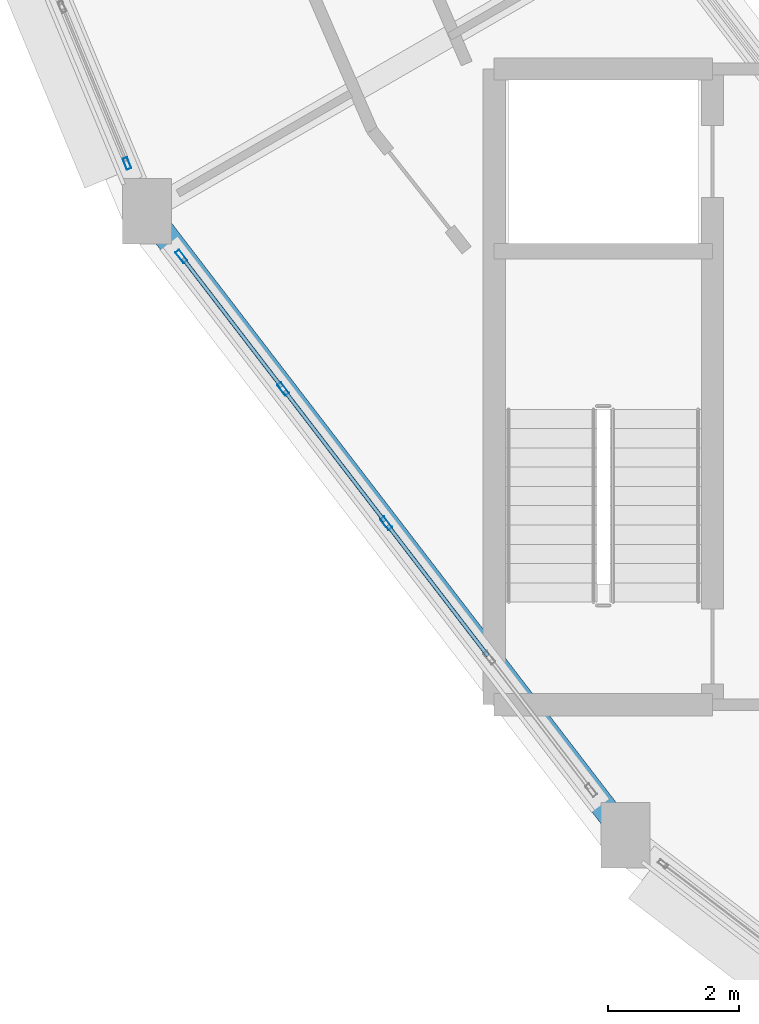
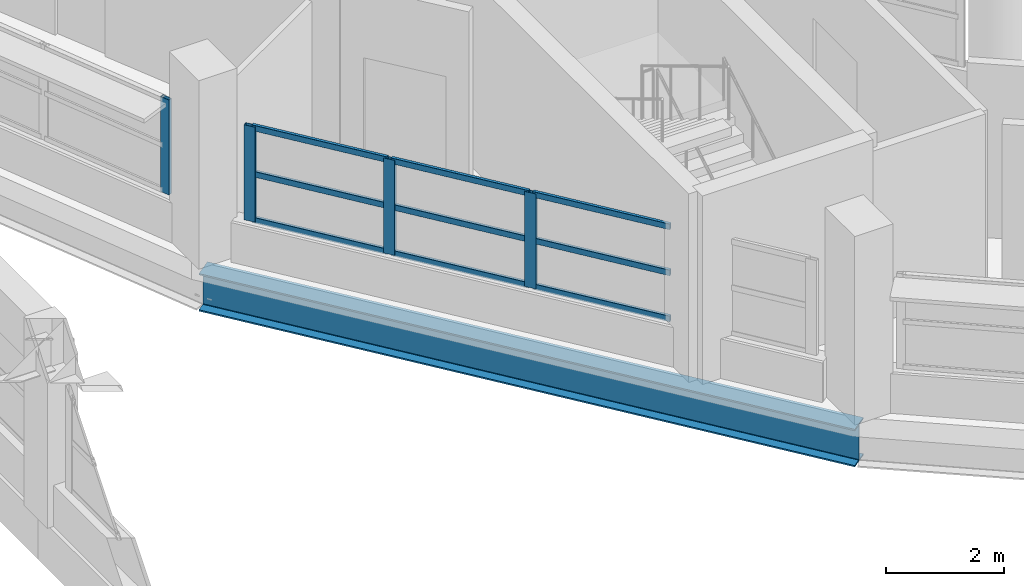
# One storey, part 29 of 108: 13 members, 1 beam, 2 elements without a shape of their own.
"""IFC4 building model written with IfcOpenShell, lengths in metres."""

from ifc_helpers import new_model, si_unit, direction, frame, origin, origin_2d, place, context, subcontext, project, spatial, hollow_rectangle, i_section, extrude, material, layer, layer_set, material_profile, profile_set, type_object, element, aggregate, save


model = new_model("IFC4")

# Units and contexts
model_context = context("Model", 3, precision=1e-05, world=origin(), true_north=direction((0.0, 1.0)))
body_context = subcontext(model_context, "Body", "Model", "MODEL_VIEW")
ifc_project = project(units=[si_unit("LENGTHUNIT", "METRE"), si_unit("AREAUNIT", "SQUARE_METRE"), si_unit("VOLUMEUNIT", "CUBIC_METRE"), si_unit("PLANEANGLEUNIT", "RADIAN"), si_unit("MASSUNIT", "GRAM", prefix="KILO")], contexts=[model_context])

# Site, building, storey
site_placement = place(None, origin())
site = spatial("IfcSite", under=ifc_project, at=site_placement, CompositionType="ELEMENT")
building_placement = place(site_placement, origin())
building = spatial("IfcBuilding", under=site, at=building_placement, Name="Vespera Passage Community Centre", CompositionType="ELEMENT")
storey_placement = place(building_placement, frame((0.0, 0.0, 12.60009765625)))
storey = spatial("IfcBuildingStorey", under=building, at=storey_placement, Name="L03", CompositionType="ELEMENT", Elevation=12.60009765625)

# Beam
ifc_material_1 = material(Name="Steel ASTM A992 Grade 50", Category="steel")
ifc_material_profile_1 = material_profile(ifc_material_1, i_section(OverallWidth=0.382080078125, OverallDepth=0.779296875, WebThickness=0.01806640625, FlangeThickness=0.030029296875, FilletRadius=0.0166015625, at=origin_2d()), Name="W30X191")
ifc_profile_set_1 = profile_set([ifc_material_profile_1], Name="Steel ASTM A992 Grade 50")
beam_type = type_object("IfcBeamType", Name="BM-SP-W30X191E", PredefinedType="SPANDREL", material=ifc_profile_set_1)
beam_placement = place(storey_placement, frame((38.076171875, 42.449951171875, -0.789794921875), z_axis=(0.608763261066, -0.793351934501, 0.0), x_axis=(0.793351934501, 0.608763261066, 0.0)))
element("IfcBeam", 1, at=beam_placement, inside=storey, type_object=beam_type, Name="V4 L03 Outer Spandrel 14", PredefinedType="SPANDREL", context=body_context, shape_type="SweptSolid", body=[
    extrude(i_section(OverallWidth=0.382080078125, OverallDepth=0.779296875, WebThickness=0.01806640625, FlangeThickness=0.030029296875, FilletRadius=0.0166015625, at=origin_2d()), origin(), (0.0, 0.0, 1.0), 12.034423828125),
])

# Curtain wall, member
ifc_material_2 = material(Name="Anodized aluminium 6063-T6", Category="aluminium")
ifc_layer_1 = layer(ifc_material_2, 0.159912109375)
ifc_layer_set_1 = layer_set([ifc_layer_1], Name="Anodized aluminium 6063-T6")
curtain_wall_type_1 = type_object("IfcCurtainWallType", Name="CW-49E", PredefinedType="NOTDEFINED", material=ifc_layer_set_1)
curtain_wall_1_placement = place(storey_placement, origin())
curtain_wall_1 = element("IfcCurtainWall", 2, at=curtain_wall_1_placement, inside=storey, type_object=curtain_wall_type_1, Name="V4 L03 Outer Ribbon Curtain Wall 13", PredefinedType="NOTDEFINED")
ifc_material_3 = material(Name="Anodized aluminium 6063-T6", Category="aluminium")
ifc_material_profile_2 = material_profile(ifc_material_3, hollow_rectangle(XDim=0.074951171875, YDim=0.179931640625, WallThickness=0.0048828125, InnerFilletRadius=0.00244140625, OuterFilletRadius=0.0048828125, at=origin_2d()), Name="ALU180X75X5")
ifc_profile_set_2 = profile_set([ifc_material_profile_2], Name="Anodized aluminium 6063-T6")
member_type_1 = type_object("IfcMemberType", Name="MB-CWM-180E", PredefinedType="MULLION", material=ifc_profile_set_2)
member_1_placement = place(storey_placement, frame((37.7724609375, 43.183349609375, 0.81982421875), z_axis=(0.0, 0.0, 1.0), x_axis=(-0.923881309405, -0.382679142535, 0.0)))
member_1 = element("IfcMember", 3, at=member_1_placement, type_object=member_type_1, Name="CW-49E mullion 1", PredefinedType="MULLION", context=body_context, shape_type="SweptSolid", body=[
    extrude(hollow_rectangle(XDim=0.074951171875, YDim=0.179931640625, WallThickness=0.0048828125, InnerFilletRadius=0.00244140625, OuterFilletRadius=0.0048828125, at=origin_2d()), origin(), (0.0, 0.0, 1.0), 1.965576171875),
])
aggregate(curtain_wall_1, [member_1])

# Curtain wall, members
ifc_material_4 = material(Name="Anodized aluminium 6063-T6", Category="aluminium")
ifc_layer_2 = layer(ifc_material_4, 0.159912109375)
ifc_layer_set_2 = layer_set([ifc_layer_2], Name="Anodized aluminium 6063-T6")
curtain_wall_type_2 = type_object("IfcCurtainWallType", Name="CW-50E", PredefinedType="NOTDEFINED", material=ifc_layer_set_2)
curtain_wall_2_placement = place(storey_placement, origin())
curtain_wall_2 = element("IfcCurtainWall", 4, at=curtain_wall_2_placement, inside=storey, type_object=curtain_wall_type_2, Name="V4 L03 Outer Ribbon Curtain Wall 14", PredefinedType="NOTDEFINED")
ifc_material_5 = material(Name="Anodized aluminium 6063-T6", Category="aluminium")
ifc_material_profile_3 = material_profile(ifc_material_5, hollow_rectangle(XDim=0.074951171875, YDim=0.2099609375, WallThickness=0.0048828125, InnerFilletRadius=0.00244140625, OuterFilletRadius=0.0048828125, at=origin_2d()), Name="ALU210X75X5")
ifc_profile_set_3 = profile_set([ifc_material_profile_3], Name="Anodized aluminium 6063-T6")
member_type_2 = type_object("IfcMemberType", Name="MB-CWM-210E", PredefinedType="MULLION", material=ifc_profile_set_3)
member_2_placement = place(storey_placement, frame((41.7392578125, 37.67626953125, 0.81982421875), z_axis=(0.0, 0.0, 1.0), x_axis=(-0.793350257139, -0.608765447029, 0.0)))
member_2 = element("IfcMember", 5, at=member_2_placement, type_object=member_type_2, Name="CW-50E mullion 3", PredefinedType="MULLION", context=body_context, shape_type="SweptSolid", body=[
    extrude(hollow_rectangle(XDim=0.074951171875, YDim=0.2099609375, WallThickness=0.0048828125, InnerFilletRadius=0.00244140625, OuterFilletRadius=0.0048828125, at=origin_2d()), origin(), (0.0, 0.0, 1.0), 1.965576171875),
])
member_3_placement = place(storey_placement, frame((40.16064453125, 39.7333984375, 0.81982421875), z_axis=(0.0, 0.0, 1.0), x_axis=(-0.793350257139, -0.608765447029, 0.0)))
member_3 = element("IfcMember", 6, at=member_3_placement, type_object=member_type_2, Name="CW-50E mullion 4", PredefinedType="MULLION", context=body_context, shape_type="SweptSolid", body=[
    extrude(hollow_rectangle(XDim=0.074951171875, YDim=0.2099609375, WallThickness=0.0048828125, InnerFilletRadius=0.00244140625, OuterFilletRadius=0.0048828125, at=origin_2d()), origin(), (0.0, 0.0, 1.0), 1.965576171875),
])
member_4_placement = place(storey_placement, frame((38.60498046875, 41.760986328125, 0.81982421875), z_axis=(0.0, 0.0, 1.0), x_axis=(-0.793350257139, -0.608765447029, 0.0)))
member_4 = element("IfcMember", 7, at=member_4_placement, type_object=member_type_2, Name="CW-50E mullion 5", PredefinedType="MULLION", context=body_context, shape_type="SweptSolid", body=[
    extrude(hollow_rectangle(XDim=0.074951171875, YDim=0.2099609375, WallThickness=0.0048828125, InnerFilletRadius=0.00244140625, OuterFilletRadius=0.0048828125, at=origin_2d()), origin(), (0.0, 0.0, 1.0), 1.965576171875),
])
ifc_material_6 = material(Name="Anodized aluminium 6063-T6", Category="aluminium")
ifc_material_profile_4 = material_profile(ifc_material_6, hollow_rectangle(XDim=0.06005859375, YDim=0.1201171875, WallThickness=0.00390625, InnerFilletRadius=0.001953125, OuterFilletRadius=0.00390625, at=origin_2d()), Name="ALU120X60X4")
ifc_profile_set_4 = profile_set([ifc_material_profile_4], Name="Anodized aluminium 6063-T6")
member_type_3 = type_object("IfcMemberType", Name="MB-CWT-120E", PredefinedType="USERDEFINED", material=ifc_profile_set_4)
member_5_placement = place(storey_placement, frame((43.295166015625, 35.648681640625, 0.849853515625), z_axis=(-0.608759186888, 0.793355060726, 0.0), x_axis=(-0.793355060726, -0.608759186888, 0.0)))
member_5 = element("IfcMember", 8, at=member_5_placement, type_object=member_type_3, Name="CW-50E transom 2.1", ObjectType="TRANSOM", PredefinedType="USERDEFINED", context=body_context, shape_type="SweptSolid", body=[
    extrude(hollow_rectangle(XDim=0.06005859375, YDim=0.1201171875, WallThickness=0.00390625, InnerFilletRadius=0.001953125, OuterFilletRadius=0.00390625, at=origin_2d()), origin(), (0.0, 0.0, 1.0), 2.51806640625),
])
member_6_placement = place(storey_placement, frame((43.295166015625, 35.648681640625, 1.802734375), z_axis=(-0.608759186888, 0.793355060726, 0.0), x_axis=(-0.793355060726, -0.608759186888, 0.0)))
member_6 = element("IfcMember", 9, at=member_6_placement, type_object=member_type_3, Name="CW-50E transom 2.2", ObjectType="TRANSOM", PredefinedType="USERDEFINED", context=body_context, shape_type="SweptSolid", body=[
    extrude(hollow_rectangle(XDim=0.06005859375, YDim=0.1201171875, WallThickness=0.00390625, InnerFilletRadius=0.001953125, OuterFilletRadius=0.00390625, at=origin_2d()), origin(), (0.0, 0.0, 1.0), 2.51806640625),
])
member_7_placement = place(storey_placement, frame((43.295166015625, 35.648681640625, 2.755615234375), z_axis=(-0.608759186888, 0.793355060726, 0.0), x_axis=(-0.793355060726, -0.608759186888, 0.0)))
member_7 = element("IfcMember", 10, at=member_7_placement, type_object=member_type_3, Name="CW-50E transom 2.3", ObjectType="TRANSOM", PredefinedType="USERDEFINED", context=body_context, shape_type="SweptSolid", body=[
    extrude(hollow_rectangle(XDim=0.06005859375, YDim=0.1201171875, WallThickness=0.00390625, InnerFilletRadius=0.001953125, OuterFilletRadius=0.00390625, at=origin_2d()), origin(), (0.0, 0.0, 1.0), 2.51806640625),
])
member_8_placement = place(storey_placement, frame((41.716552734375, 37.7060546875, 0.849853515625), z_axis=(-0.608806013392, 0.7933191275, 0.0), x_axis=(-0.7933191275, -0.608806013392, 0.0)))
member_8 = element("IfcMember", 11, at=member_8_placement, type_object=member_type_3, Name="CW-50E transom 3.1", ObjectType="TRANSOM", PredefinedType="USERDEFINED", context=body_context, shape_type="SweptSolid", body=[
    extrude(hollow_rectangle(XDim=0.06005859375, YDim=0.1201171875, WallThickness=0.00390625, InnerFilletRadius=0.001953125, OuterFilletRadius=0.00390625, at=origin_2d()), origin(), (0.0, 0.0, 1.0), 2.51806640625),
])
member_9_placement = place(storey_placement, frame((41.716552734375, 37.7060546875, 1.802734375), z_axis=(-0.608806013392, 0.7933191275, 0.0), x_axis=(-0.7933191275, -0.608806013392, 0.0)))
member_9 = element("IfcMember", 12, at=member_9_placement, type_object=member_type_3, Name="CW-50E transom 3.2", ObjectType="TRANSOM", PredefinedType="USERDEFINED", context=body_context, shape_type="SweptSolid", body=[
    extrude(hollow_rectangle(XDim=0.06005859375, YDim=0.1201171875, WallThickness=0.00390625, InnerFilletRadius=0.001953125, OuterFilletRadius=0.00390625, at=origin_2d()), origin(), (0.0, 0.0, 1.0), 2.51806640625),
])
member_10_placement = place(storey_placement, frame((41.716552734375, 37.7060546875, 2.755615234375), z_axis=(-0.608806013392, 0.7933191275, 0.0), x_axis=(-0.7933191275, -0.608806013392, 0.0)))
member_10 = element("IfcMember", 13, at=member_10_placement, type_object=member_type_3, Name="CW-50E transom 3.3", ObjectType="TRANSOM", PredefinedType="USERDEFINED", context=body_context, shape_type="SweptSolid", body=[
    extrude(hollow_rectangle(XDim=0.06005859375, YDim=0.1201171875, WallThickness=0.00390625, InnerFilletRadius=0.001953125, OuterFilletRadius=0.00390625, at=origin_2d()), origin(), (0.0, 0.0, 1.0), 2.51806640625),
])
member_11_placement = place(storey_placement, frame((40.137939453125, 39.76318359375, 0.849853515625), z_axis=(-0.608797179099, 0.793325907002, 0.0), x_axis=(-0.793325907002, -0.608797179099, 0.0)))
member_11 = element("IfcMember", 14, at=member_11_placement, type_object=member_type_3, Name="CW-50E transom 4.1", ObjectType="TRANSOM", PredefinedType="USERDEFINED", context=body_context, shape_type="SweptSolid", body=[
    extrude(hollow_rectangle(XDim=0.06005859375, YDim=0.1201171875, WallThickness=0.00390625, InnerFilletRadius=0.001953125, OuterFilletRadius=0.00390625, at=origin_2d()), origin(), (0.0, 0.0, 1.0), 2.480712890625),
])
member_12_placement = place(storey_placement, frame((40.137939453125, 39.76318359375, 1.802734375), z_axis=(-0.608797179099, 0.793325907002, 0.0), x_axis=(-0.793325907002, -0.608797179099, 0.0)))
member_12 = element("IfcMember", 15, at=member_12_placement, type_object=member_type_3, Name="CW-50E transom 4.2", ObjectType="TRANSOM", PredefinedType="USERDEFINED", context=body_context, shape_type="SweptSolid", body=[
    extrude(hollow_rectangle(XDim=0.06005859375, YDim=0.1201171875, WallThickness=0.00390625, InnerFilletRadius=0.001953125, OuterFilletRadius=0.00390625, at=origin_2d()), origin(), (0.0, 0.0, 1.0), 2.480712890625),
])
member_13_placement = place(storey_placement, frame((40.137939453125, 39.76318359375, 2.755615234375), z_axis=(-0.608797179099, 0.793325907002, 0.0), x_axis=(-0.793325907002, -0.608797179099, 0.0)))
member_13 = element("IfcMember", 16, at=member_13_placement, type_object=member_type_3, Name="CW-50E transom 4.3", ObjectType="TRANSOM", PredefinedType="USERDEFINED", context=body_context, shape_type="SweptSolid", body=[
    extrude(hollow_rectangle(XDim=0.06005859375, YDim=0.1201171875, WallThickness=0.00390625, InnerFilletRadius=0.001953125, OuterFilletRadius=0.00390625, at=origin_2d()), origin(), (0.0, 0.0, 1.0), 2.480712890625),
])
aggregate(curtain_wall_2, [member_2, member_3, member_4, member_5, member_6, member_7, member_8, member_9, member_10, member_11, member_12, member_13])

save(model, "model.ifc")
